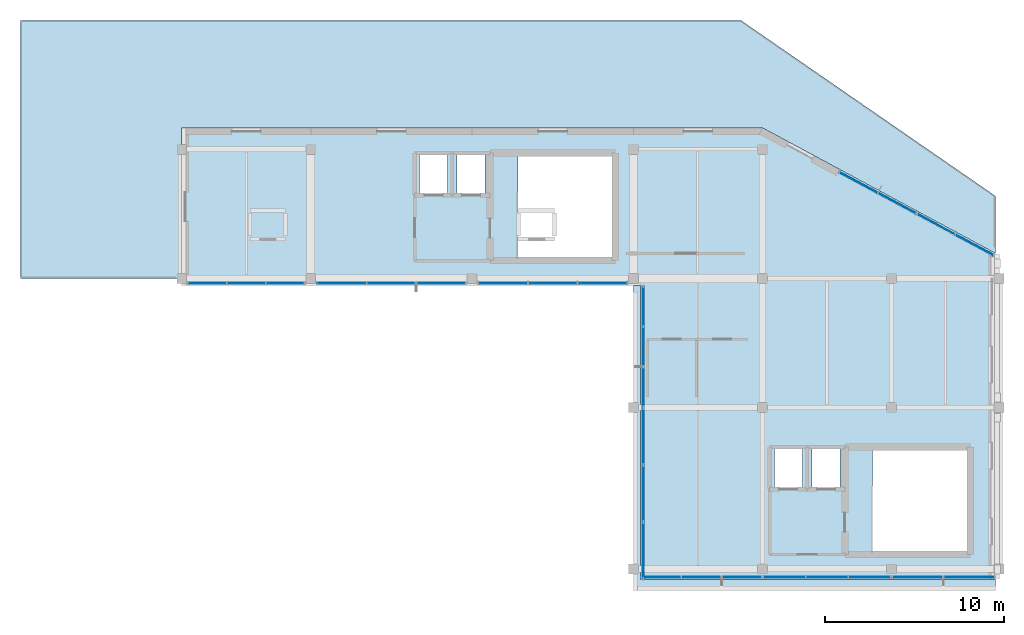
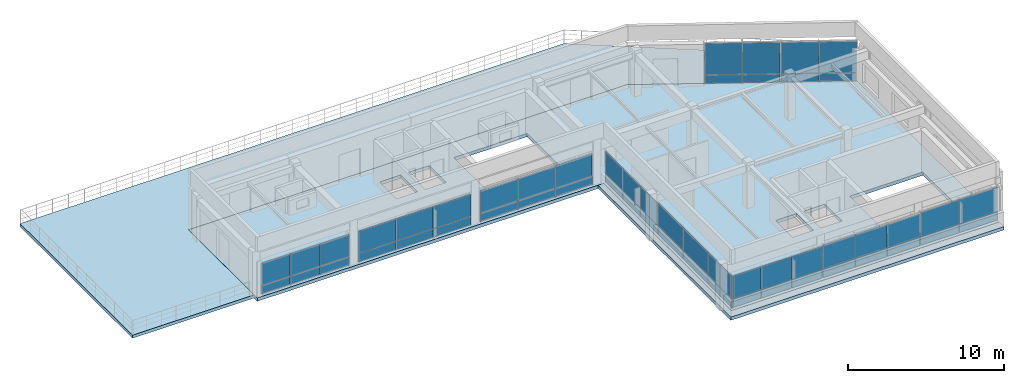
# One storey, part 6 of 10: 54 plates, 3 slabs, 10 elements without a shape of their own.
"""IFC4 building model written with IfcOpenShell, lengths in metres."""

from ifc_helpers import new_model, si_unit, direction, frame, frame_2d, origin, place, context, subcontext, project, spatial, polyline, rectangle, outline, extrude, material, layer, layer_set, type_object, element, aggregate, save


model = new_model("IFC4")

# Units and contexts
model_context = context("Model", 3, precision=1e-05, world=origin(), true_north=direction((0.0, 1.0)))
body_context = subcontext(model_context, "Body", "Model", "MODEL_VIEW")
ifc_project = project(units=[si_unit("LENGTHUNIT", "METRE"), si_unit("AREAUNIT", "SQUARE_METRE"), si_unit("VOLUMEUNIT", "CUBIC_METRE"), si_unit("PLANEANGLEUNIT", "RADIAN"), si_unit("MASSUNIT", "GRAM", prefix="KILO")], contexts=[model_context])

# Site, building, storey
site_placement = place(None, origin())
site = spatial("IfcSite", under=ifc_project, at=site_placement, CompositionType="ELEMENT")
building_placement = place(site_placement, origin())
building = spatial("IfcBuilding", under=site, at=building_placement, Name="Clarverna Civic Hall", CompositionType="ELEMENT")
storey_placement = place(building_placement, frame((0.0, 0.0, 27.60009765625)))
storey = spatial("IfcBuildingStorey", under=building, at=storey_placement, Name="L07", CompositionType="ELEMENT", Elevation=27.60009765625)

# Curtain wall, plates
ifc_material_1 = material(Name="Anodised Bronze Architectural Aluminium", Category="aluminium")
curtain_wall_type = type_object("IfcCurtainWallType", Name="CW-01", PredefinedType="USERDEFINED", material=ifc_material_1)
curtain_wall_1_placement = place(storey_placement, origin())
curtain_wall_1 = element("IfcCurtainWall", 1, at=curtain_wall_1_placement, inside=storey, type_object=curtain_wall_type, Name="CW-01-126", ObjectType="UNITISED CURTAIN WALL", PredefinedType="USERDEFINED")
ifc_material_2 = material(Name="Solar-Control Argon Low-E Double Glazing", Category="glass")
ifc_layer_1 = layer(ifc_material_2, 0.031982421875)
ifc_layer_set_1 = layer_set([ifc_layer_1], Name="Solar-Control Argon Low-E Double Glazing")
plate_type_1 = type_object("IfcPlateType", Name="CWP-01", PredefinedType="CURTAIN_PANEL", material=ifc_layer_set_1)
plate_1_placement = place(storey_placement, frame((159.109130859375, 100.920654296875, 0.764892578125), z_axis=(0.0, 0.0, 1.0), x_axis=(0.880454753722, -0.474130179011, 0.0)))
plate_1 = element("IfcPlate", 2, at=plate_1_placement, type_object=plate_type_1, Name="CWP-01-641", PredefinedType="CURTAIN_PANEL", context=body_context, shape_type="SweptSolid", body=[
    extrude(rectangle(XDim=2.39794921875, YDim=0.031982421875, at=frame_2d((1.198974609375, 0.0))), origin(), (0.0, 0.0, 1.0), 2.465087890625),
])
plate_2_placement = place(storey_placement, frame((161.246826171875, 99.76953125, 0.764892578125), z_axis=(0.0, 0.0, 1.0), x_axis=(0.880474369488, -0.474093750935, 0.0)))
plate_2 = element("IfcPlate", 3, at=plate_2_placement, type_object=plate_type_1, Name="CWP-01-642", PredefinedType="CURTAIN_PANEL", context=body_context, shape_type="SweptSolid", body=[
    extrude(rectangle(XDim=2.397705078125, YDim=0.031982421875, at=frame_2d((1.19873046875, 0.0))), origin(), (0.0, 0.0, 1.0), 2.465087890625),
])

curtain_wall_2_placement = place(storey_placement, origin())
curtain_wall_2 = element("IfcCurtainWall", 4, at=curtain_wall_2_placement, inside=storey, type_object=curtain_wall_type, Name="CW-01-127", ObjectType="UNITISED CURTAIN WALL", PredefinedType="USERDEFINED")
plate_3_placement = place(storey_placement, frame((163.442626953125, 98.58740234375, 0.764892578125), z_axis=(0.0, 0.0, 1.0), x_axis=(0.880431863766, -0.47417268296, 0.0)))
plate_3 = element("IfcPlate", 5, at=plate_3_placement, type_object=plate_type_1, Name="CWP-01-643", PredefinedType="CURTAIN_PANEL", context=body_context, shape_type="SweptSolid", body=[
    extrude(rectangle(XDim=2.397705078125, YDim=0.031982421875, at=frame_2d((1.19873046875, 0.0))), origin(), (0.0, 0.0, 1.0), 2.465087890625),
])
plate_4_placement = place(storey_placement, frame((165.580078125, 97.436279296875, 0.764892578125), z_axis=(0.0, 0.0, 1.0), x_axis=(0.880454753722, -0.474130179011, 0.0)))
plate_4 = element("IfcPlate", 6, at=plate_4_placement, type_object=plate_type_1, Name="CWP-01-644", PredefinedType="CURTAIN_PANEL", context=body_context, shape_type="SweptSolid", body=[
    extrude(rectangle(XDim=2.39794921875, YDim=0.031982421875, at=frame_2d((1.198974609375, 0.0))), origin(), (0.0, 0.0, 1.0), 2.465087890625),
])

curtain_wall_3_placement = place(storey_placement, origin())
curtain_wall_3 = element("IfcCurtainWall", 7, at=curtain_wall_3_placement, inside=storey, type_object=curtain_wall_type, Name="CW-01-128", ObjectType="UNITISED CURTAIN WALL", PredefinedType="USERDEFINED")
plate_5_placement = place(storey_placement, frame((167.751953125, 78.340087890625, 0.764892578125), z_axis=(0.0, 0.0, 1.0), x_axis=(-1.0, 0.0, 0.0)))
plate_5 = element("IfcPlate", 8, at=plate_5_placement, type_object=plate_type_1, Name="CWP-01-645", PredefinedType="CURTAIN_PANEL", context=body_context, shape_type="SweptSolid", body=[
    extrude(rectangle(XDim=2.8369140625, YDim=0.031982421875, at=frame_2d((1.41845703125, 0.0))), origin(), (0.0, 0.0, 1.0), 1.905029296875),
])
plate_6_placement = place(storey_placement, frame((164.885009765625, 78.340087890625, 0.764892578125), z_axis=(0.0, 0.0, 1.0), x_axis=(-1.0, 0.0, 0.0)))
plate_6 = element("IfcPlate", 9, at=plate_6_placement, type_object=plate_type_1, Name="CWP-01-646", PredefinedType="CURTAIN_PANEL", context=body_context, shape_type="SweptSolid", body=[
    extrude(rectangle(XDim=2.8369140625, YDim=0.031982421875, at=frame_2d((1.41845703125, 0.0))), origin(), (0.0, 0.0, 1.0), 1.905029296875),
])

curtain_wall_4_placement = place(storey_placement, origin())
curtain_wall_4 = element("IfcCurtainWall", 10, at=curtain_wall_4_placement, inside=storey, type_object=curtain_wall_type, Name="CW-01-129", ObjectType="UNITISED CURTAIN WALL", PredefinedType="USERDEFINED")
plate_7_placement = place(storey_placement, frame((161.951904296875, 78.340087890625, 0.764892578125), z_axis=(0.0, 0.0, 1.0), x_axis=(-1.0, 0.0, 0.0)))
plate_7 = element("IfcPlate", 11, at=plate_7_placement, type_object=plate_type_1, Name="CWP-01-647", PredefinedType="CURTAIN_PANEL", context=body_context, shape_type="SweptSolid", body=[
    extrude(rectangle(XDim=2.347900390625, YDim=0.031982421875, at=frame_2d((1.173828125, 0.0))), origin(), (0.0, 0.0, 1.0), 1.844970703125),
])
plate_8_placement = place(storey_placement, frame((159.573974609375, 78.340087890625, 0.764892578125), z_axis=(0.0, 0.0, 1.0), x_axis=(-1.0, 0.0, 0.0)))
plate_8 = element("IfcPlate", 12, at=plate_8_placement, type_object=plate_type_1, Name="CWP-01-648", PredefinedType="CURTAIN_PANEL", context=body_context, shape_type="SweptSolid", body=[
    extrude(rectangle(XDim=2.347900390625, YDim=0.031982421875, at=frame_2d((1.173828125, 0.0))), origin(), (0.0, 0.0, 1.0), 1.844970703125),
])
plate_9_placement = place(storey_placement, frame((157.196044921875, 78.340087890625, 0.764892578125), z_axis=(0.0, 0.0, 1.0), x_axis=(-1.0, 0.0, 0.0)))
plate_9 = element("IfcPlate", 13, at=plate_9_placement, type_object=plate_type_1, Name="CWP-01-649", PredefinedType="CURTAIN_PANEL", context=body_context, shape_type="SweptSolid", body=[
    extrude(rectangle(XDim=2.34814453125, YDim=0.031982421875, at=frame_2d((1.174072265625, 0.0))), origin(), (0.0, 0.0, 1.0), 1.844970703125),
])

curtain_wall_5_placement = place(storey_placement, origin())
curtain_wall_5 = element("IfcCurtainWall", 14, at=curtain_wall_5_placement, inside=storey, type_object=curtain_wall_type, Name="CW-01-130", ObjectType="UNITISED CURTAIN WALL", PredefinedType="USERDEFINED")
plate_10_placement = place(storey_placement, frame((154.751953125, 78.340087890625, 0.764892578125), z_axis=(0.0, 0.0, 1.0), x_axis=(-1.0, 0.0, 0.0)))
plate_10 = element("IfcPlate", 15, at=plate_10_placement, type_object=plate_type_1, Name="CWP-01-650", PredefinedType="CURTAIN_PANEL", context=body_context, shape_type="SweptSolid", body=[
    extrude(rectangle(XDim=2.214599609375, YDim=0.031982421875, at=frame_2d((1.107421875, 0.0))), origin(), (0.0, 0.0, 1.0), 1.784912109375),
])
plate_11_placement = place(storey_placement, frame((152.50732421875, 78.340087890625, 0.764892578125), z_axis=(0.0, 0.0, 1.0), x_axis=(-1.0, 0.0, 0.0)))
plate_11 = element("IfcPlate", 16, at=plate_11_placement, type_object=plate_type_1, Name="CWP-01-651", PredefinedType="CURTAIN_PANEL", context=body_context, shape_type="SweptSolid", body=[
    extrude(rectangle(XDim=2.214599609375, YDim=0.031982421875, at=frame_2d((1.107421875, 0.0))), origin(), (0.0, 0.0, 1.0), 1.784912109375),
])
plate_12_placement = place(storey_placement, frame((150.2626953125, 78.340087890625, 0.764892578125), z_axis=(0.0, 0.0, 1.0), x_axis=(-1.0, 0.0, 0.0)))
plate_12 = element("IfcPlate", 17, at=plate_12_placement, type_object=plate_type_1, Name="CWP-01-652", PredefinedType="CURTAIN_PANEL", context=body_context, shape_type="SweptSolid", body=[
    extrude(rectangle(XDim=2.214599609375, YDim=0.031982421875, at=frame_2d((1.107421875, 0.0))), origin(), (0.0, 0.0, 1.0), 1.784912109375),
])

curtain_wall_6_placement = place(storey_placement, origin())
curtain_wall_6 = element("IfcCurtainWall", 18, at=curtain_wall_6_placement, inside=storey, type_object=curtain_wall_type, Name="CW-01-131", ObjectType="UNITISED CURTAIN WALL", PredefinedType="USERDEFINED")
plate_13_placement = place(storey_placement, frame((148.139892578125, 78.248046875, 0.764892578125), z_axis=(0.0, 0.0, 1.0), x_axis=(0.0, 1.0, 0.0)))
plate_13 = element("IfcPlate", 19, at=plate_13_placement, type_object=plate_type_1, Name="CWP-01-653", PredefinedType="CURTAIN_PANEL", context=body_context, shape_type="SweptSolid", body=[
    extrude(rectangle(XDim=3.14794921875, YDim=0.031982421875, at=frame_2d((1.573974609375, 0.0))), origin(), (0.0, 0.0, 1.0), 1.784912109375),
])
plate_14_placement = place(storey_placement, frame((148.139892578125, 81.426025390625, 0.764892578125), z_axis=(0.0, 0.0, 1.0), x_axis=(0.0, 1.0, 0.0)))
plate_14 = element("IfcPlate", 20, at=plate_14_placement, type_object=plate_type_1, Name="CWP-01-654", PredefinedType="CURTAIN_PANEL", context=body_context, shape_type="SweptSolid", body=[
    extrude(rectangle(XDim=3.14794921875, YDim=0.031982421875, at=frame_2d((1.573974609375, 0.0))), origin(), (0.0, 0.0, 1.0), 1.784912109375),
])
plate_15_placement = place(storey_placement, frame((148.139892578125, 84.60400390625, 0.764892578125), z_axis=(0.0, 0.0, 1.0), x_axis=(0.0, 1.0, 0.0)))
plate_15 = element("IfcPlate", 21, at=plate_15_placement, type_object=plate_type_1, Name="CWP-01-655", PredefinedType="CURTAIN_PANEL", context=body_context, shape_type="SweptSolid", body=[
    extrude(rectangle(XDim=3.14794921875, YDim=0.031982421875, at=frame_2d((1.573974609375, 0.0))), origin(), (0.0, 0.0, 1.0), 1.784912109375),
])

curtain_wall_7_placement = place(storey_placement, origin())
curtain_wall_7 = element("IfcCurtainWall", 22, at=curtain_wall_7_placement, inside=storey, type_object=curtain_wall_type, Name="CW-01-132", ObjectType="UNITISED CURTAIN WALL", PredefinedType="USERDEFINED")
plate_16_placement = place(storey_placement, frame((148.139892578125, 87.847900390625, 0.764892578125), z_axis=(0.0, 0.0, 1.0), x_axis=(0.0, 1.0, 0.0)))
plate_16 = element("IfcPlate", 23, at=plate_16_placement, type_object=plate_type_1, Name="CWP-01-656", PredefinedType="CURTAIN_PANEL", context=body_context, shape_type="SweptSolid", body=[
    extrude(rectangle(XDim=2.21484375, YDim=0.031982421875, at=frame_2d((1.107421875, 0.0))), origin(), (0.0, 0.0, 1.0), 1.715087890625),
])
plate_17_placement = place(storey_placement, frame((148.139892578125, 90.0927734375, 0.764892578125), z_axis=(0.0, 0.0, 1.0), x_axis=(0.0, 1.0, 0.0)))
plate_17 = element("IfcPlate", 24, at=plate_17_placement, type_object=plate_type_1, Name="CWP-01-657", PredefinedType="CURTAIN_PANEL", context=body_context, shape_type="SweptSolid", body=[
    extrude(rectangle(XDim=2.214599609375, YDim=0.031982421875, at=frame_2d((1.107421875, 0.0))), origin(), (0.0, 0.0, 1.0), 1.715087890625),
])
plate_18_placement = place(storey_placement, frame((148.139892578125, 92.33740234375, 0.764892578125), z_axis=(0.0, 0.0, 1.0), x_axis=(0.0, 1.0, 0.0)))
plate_18 = element("IfcPlate", 25, at=plate_18_placement, type_object=plate_type_1, Name="CWP-01-658", PredefinedType="CURTAIN_PANEL", context=body_context, shape_type="SweptSolid", body=[
    extrude(rectangle(XDim=2.214599609375, YDim=0.031982421875, at=frame_2d((1.107421875, 0.0))), origin(), (0.0, 0.0, 1.0), 1.715087890625),
])

curtain_wall_8_placement = place(storey_placement, origin())
curtain_wall_8 = element("IfcCurtainWall", 26, at=curtain_wall_8_placement, inside=storey, type_object=curtain_wall_type, Name="CW-01-133", ObjectType="UNITISED CURTAIN WALL", PredefinedType="USERDEFINED")
plate_19_placement = place(storey_placement, frame((147.237060546875, 94.739990234375, 0.764892578125), z_axis=(0.0, 0.0, 1.0), x_axis=(-1.0, 0.0, 0.0)))
plate_19 = element("IfcPlate", 27, at=plate_19_placement, type_object=plate_type_1, Name="CWP-01-659", PredefinedType="CURTAIN_PANEL", context=body_context, shape_type="SweptSolid", body=[
    extrude(rectangle(XDim=2.738037109375, YDim=0.031982421875, at=frame_2d((1.369140625, 0.0))), origin(), (0.0, 0.0, 1.0), 1.715087890625),
])
plate_20_placement = place(storey_placement, frame((144.468994140625, 94.739990234375, 0.764892578125), z_axis=(0.0, 0.0, 1.0), x_axis=(-1.0, 0.0, 0.0)))
plate_20 = element("IfcPlate", 28, at=plate_20_placement, type_object=plate_type_1, Name="CWP-01-660", PredefinedType="CURTAIN_PANEL", context=body_context, shape_type="SweptSolid", body=[
    extrude(rectangle(XDim=2.738037109375, YDim=0.031982421875, at=frame_2d((1.369140625, 0.0))), origin(), (0.0, 0.0, 1.0), 1.715087890625),
])
plate_21_placement = place(storey_placement, frame((141.700927734375, 94.739990234375, 0.764892578125), z_axis=(0.0, 0.0, 1.0), x_axis=(-1.0, 0.0, 0.0)))
plate_21 = element("IfcPlate", 29, at=plate_21_placement, type_object=plate_type_1, Name="CWP-01-661", PredefinedType="CURTAIN_PANEL", context=body_context, shape_type="SweptSolid", body=[
    extrude(rectangle(XDim=2.738037109375, YDim=0.031982421875, at=frame_2d((1.369140625, 0.0))), origin(), (0.0, 0.0, 1.0), 1.715087890625),
])

curtain_wall_9_placement = place(storey_placement, origin())
curtain_wall_9 = element("IfcCurtainWall", 30, at=curtain_wall_9_placement, inside=storey, type_object=curtain_wall_type, Name="CW-01-134", ObjectType="UNITISED CURTAIN WALL", PredefinedType="USERDEFINED")
plate_22_placement = place(storey_placement, frame((138.237060546875, 94.739990234375, 0.764892578125), z_axis=(0.0, 0.0, 1.0), x_axis=(-1.0, 0.0, 0.0)))
plate_22 = element("IfcPlate", 31, at=plate_22_placement, type_object=plate_type_1, Name="CWP-01-662", PredefinedType="CURTAIN_PANEL", context=body_context, shape_type="SweptSolid", body=[
    extrude(rectangle(XDim=2.738037109375, YDim=0.031982421875, at=frame_2d((1.369140625, 0.0))), origin(), (0.0, 0.0, 1.0), 1.715087890625),
])
plate_23_placement = place(storey_placement, frame((135.468994140625, 94.739990234375, 0.764892578125), z_axis=(0.0, 0.0, 1.0), x_axis=(-1.0, 0.0, 0.0)))
plate_23 = element("IfcPlate", 32, at=plate_23_placement, type_object=plate_type_1, Name="CWP-01-663", PredefinedType="CURTAIN_PANEL", context=body_context, shape_type="SweptSolid", body=[
    extrude(rectangle(XDim=2.738037109375, YDim=0.031982421875, at=frame_2d((1.369140625, 0.0))), origin(), (0.0, 0.0, 1.0), 1.715087890625),
])
plate_24_placement = place(storey_placement, frame((132.700927734375, 94.739990234375, 0.764892578125), z_axis=(0.0, 0.0, 1.0), x_axis=(-1.0, 0.0, 0.0)))
plate_24 = element("IfcPlate", 33, at=plate_24_placement, type_object=plate_type_1, Name="CWP-01-664", PredefinedType="CURTAIN_PANEL", context=body_context, shape_type="SweptSolid", body=[
    extrude(rectangle(XDim=2.738037109375, YDim=0.031982421875, at=frame_2d((1.369140625, 0.0))), origin(), (0.0, 0.0, 1.0), 1.715087890625),
])

curtain_wall_10_placement = place(storey_placement, origin())
curtain_wall_10 = element("IfcCurtainWall", 34, at=curtain_wall_10_placement, inside=storey, type_object=curtain_wall_type, Name="CW-01-135", ObjectType="UNITISED CURTAIN WALL", PredefinedType="USERDEFINED")
plate_25_placement = place(storey_placement, frame((129.237060546875, 94.739990234375, 0.764892578125), z_axis=(0.0, 0.0, 1.0), x_axis=(-1.0, 0.0, 0.0)))
plate_25 = element("IfcPlate", 35, at=plate_25_placement, type_object=plate_type_1, Name="CWP-01-665", PredefinedType="CURTAIN_PANEL", context=body_context, shape_type="SweptSolid", body=[
    extrude(rectangle(XDim=2.137939453125, YDim=0.031982421875, at=frame_2d((1.06884765625, 0.0))), origin(), (0.0, 0.0, 1.0), 1.715087890625),
])
plate_26_placement = place(storey_placement, frame((127.069091796875, 94.739990234375, 0.764892578125), z_axis=(0.0, 0.0, 1.0), x_axis=(-1.0, 0.0, 0.0)))
plate_26 = element("IfcPlate", 36, at=plate_26_placement, type_object=plate_type_1, Name="CWP-01-666", PredefinedType="CURTAIN_PANEL", context=body_context, shape_type="SweptSolid", body=[
    extrude(rectangle(XDim=2.13818359375, YDim=0.031982421875, at=frame_2d((1.069091796875, 0.0))), origin(), (0.0, 0.0, 1.0), 1.715087890625),
])
plate_27_placement = place(storey_placement, frame((124.90087890625, 94.739990234375, 0.764892578125), z_axis=(0.0, 0.0, 1.0), x_axis=(-1.0, 0.0, 0.0)))
plate_27 = element("IfcPlate", 37, at=plate_27_placement, type_object=plate_type_1, Name="CWP-01-667", PredefinedType="CURTAIN_PANEL", context=body_context, shape_type="SweptSolid", body=[
    extrude(rectangle(XDim=2.137939453125, YDim=0.031982421875, at=frame_2d((1.06884765625, 0.0))), origin(), (0.0, 0.0, 1.0), 1.715087890625),
])

# Plate
ifc_material_3 = material(Name="Insulated Anodised Bronze Spandrel Panel", Category="aluminium")
ifc_layer_2 = layer(ifc_material_3, 0.048095703125)
ifc_layer_set_2 = layer_set([ifc_layer_2], Name="Insulated Anodised Bronze Spandrel Panel")
plate_type_2 = type_object("IfcPlateType", Name="CWP-03", PredefinedType="CURTAIN_PANEL", material=ifc_layer_set_2)
plate_28_placement = place(storey_placement, frame((159.109130859375, 100.920654296875, 0.10986328125), z_axis=(0.0, 0.0, 1.0), x_axis=(0.880454753722, -0.474130179011, 0.0)))
plate_28 = element("IfcPlate", 38, at=plate_28_placement, type_object=plate_type_2, Name="CWP-03-661", PredefinedType="CURTAIN_PANEL", context=body_context, shape_type="SweptSolid", body=[
    extrude(rectangle(XDim=2.39794921875, YDim=0.048095703125, at=frame_2d((1.198974609375, 0.0))), origin(), (0.0, 0.0, 1.0), 0.625),
])

plate_29_placement = place(storey_placement, frame((161.246826171875, 99.76953125, 0.10986328125), z_axis=(0.0, 0.0, 1.0), x_axis=(0.880474369488, -0.474093750935, 0.0)))
plate_29 = element("IfcPlate", 39, at=plate_29_placement, type_object=plate_type_2, Name="CWP-03-662", PredefinedType="CURTAIN_PANEL", context=body_context, shape_type="SweptSolid", body=[
    extrude(rectangle(XDim=2.397705078125, YDim=0.048095703125, at=frame_2d((1.19873046875, 0.0))), origin(), (0.0, 0.0, 1.0), 0.625),
])

aggregate(curtain_wall_1, [plate_28, plate_1, plate_29, plate_2])

plate_30_placement = place(storey_placement, frame((163.442626953125, 98.58740234375, 0.10986328125), z_axis=(0.0, 0.0, 1.0), x_axis=(0.880431863766, -0.47417268296, 0.0)))
plate_30 = element("IfcPlate", 40, at=plate_30_placement, type_object=plate_type_2, Name="CWP-03-663", PredefinedType="CURTAIN_PANEL", context=body_context, shape_type="SweptSolid", body=[
    extrude(rectangle(XDim=2.397705078125, YDim=0.048095703125, at=frame_2d((1.19873046875, 0.0))), origin(), (0.0, 0.0, 1.0), 0.625),
])

plate_31_placement = place(storey_placement, frame((165.580078125, 97.436279296875, 0.10986328125), z_axis=(0.0, 0.0, 1.0), x_axis=(0.880454753722, -0.474130179011, 0.0)))
plate_31 = element("IfcPlate", 41, at=plate_31_placement, type_object=plate_type_2, Name="CWP-03-664", PredefinedType="CURTAIN_PANEL", context=body_context, shape_type="SweptSolid", body=[
    extrude(rectangle(XDim=2.39794921875, YDim=0.048095703125, at=frame_2d((1.198974609375, 0.0))), origin(), (0.0, 0.0, 1.0), 0.625),
])

aggregate(curtain_wall_2, [plate_30, plate_3, plate_31, plate_4])

plate_32_placement = place(storey_placement, frame((167.751953125, 78.340087890625, 0.10986328125), z_axis=(0.0, 0.0, 1.0), x_axis=(-1.0, 0.0, 0.0)))
plate_32 = element("IfcPlate", 42, at=plate_32_placement, type_object=plate_type_2, Name="CWP-03-665", PredefinedType="CURTAIN_PANEL", context=body_context, shape_type="SweptSolid", body=[
    extrude(rectangle(XDim=2.8369140625, YDim=0.048095703125, at=frame_2d((1.41845703125, 0.0))), origin(), (0.0, 0.0, 1.0), 0.625),
])

plate_33_placement = place(storey_placement, frame((164.885009765625, 78.340087890625, 0.10986328125), z_axis=(0.0, 0.0, 1.0), x_axis=(-1.0, 0.0, 0.0)))
plate_33 = element("IfcPlate", 43, at=plate_33_placement, type_object=plate_type_2, Name="CWP-03-666", PredefinedType="CURTAIN_PANEL", context=body_context, shape_type="SweptSolid", body=[
    extrude(rectangle(XDim=2.8369140625, YDim=0.048095703125, at=frame_2d((1.41845703125, 0.0))), origin(), (0.0, 0.0, 1.0), 0.625),
])

aggregate(curtain_wall_3, [plate_32, plate_5, plate_33, plate_6])

plate_34_placement = place(storey_placement, frame((161.951904296875, 78.340087890625, 0.10986328125), z_axis=(0.0, 0.0, 1.0), x_axis=(-1.0, 0.0, 0.0)))
plate_34 = element("IfcPlate", 44, at=plate_34_placement, type_object=plate_type_2, Name="CWP-03-667", PredefinedType="CURTAIN_PANEL", context=body_context, shape_type="SweptSolid", body=[
    extrude(rectangle(XDim=2.347900390625, YDim=0.048095703125, at=frame_2d((1.173828125, 0.0))), origin(), (0.0, 0.0, 1.0), 0.625),
])

plate_35_placement = place(storey_placement, frame((159.573974609375, 78.340087890625, 0.10986328125), z_axis=(0.0, 0.0, 1.0), x_axis=(-1.0, 0.0, 0.0)))
plate_35 = element("IfcPlate", 45, at=plate_35_placement, type_object=plate_type_2, Name="CWP-03-668", PredefinedType="CURTAIN_PANEL", context=body_context, shape_type="SweptSolid", body=[
    extrude(rectangle(XDim=2.347900390625, YDim=0.048095703125, at=frame_2d((1.173828125, 0.0))), origin(), (0.0, 0.0, 1.0), 0.625),
])

plate_36_placement = place(storey_placement, frame((157.196044921875, 78.340087890625, 0.10986328125), z_axis=(0.0, 0.0, 1.0), x_axis=(-1.0, 0.0, 0.0)))
plate_36 = element("IfcPlate", 46, at=plate_36_placement, type_object=plate_type_2, Name="CWP-03-669", PredefinedType="CURTAIN_PANEL", context=body_context, shape_type="SweptSolid", body=[
    extrude(rectangle(XDim=2.34814453125, YDim=0.048095703125, at=frame_2d((1.174072265625, 0.0))), origin(), (0.0, 0.0, 1.0), 0.625),
])

aggregate(curtain_wall_4, [plate_34, plate_7, plate_35, plate_8, plate_36, plate_9])

plate_37_placement = place(storey_placement, frame((154.751953125, 78.340087890625, 0.10986328125), z_axis=(0.0, 0.0, 1.0), x_axis=(-1.0, 0.0, 0.0)))
plate_37 = element("IfcPlate", 47, at=plate_37_placement, type_object=plate_type_2, Name="CWP-03-670", PredefinedType="CURTAIN_PANEL", context=body_context, shape_type="SweptSolid", body=[
    extrude(rectangle(XDim=2.214599609375, YDim=0.048095703125, at=frame_2d((1.107421875, 0.0))), origin(), (0.0, 0.0, 1.0), 0.625),
])

plate_38_placement = place(storey_placement, frame((152.50732421875, 78.340087890625, 0.10986328125), z_axis=(0.0, 0.0, 1.0), x_axis=(-1.0, 0.0, 0.0)))
plate_38 = element("IfcPlate", 48, at=plate_38_placement, type_object=plate_type_2, Name="CWP-03-671", PredefinedType="CURTAIN_PANEL", context=body_context, shape_type="SweptSolid", body=[
    extrude(rectangle(XDim=2.214599609375, YDim=0.048095703125, at=frame_2d((1.107421875, 0.0))), origin(), (0.0, 0.0, 1.0), 0.625),
])

plate_39_placement = place(storey_placement, frame((150.2626953125, 78.340087890625, 0.10986328125), z_axis=(0.0, 0.0, 1.0), x_axis=(-1.0, 0.0, 0.0)))
plate_39 = element("IfcPlate", 49, at=plate_39_placement, type_object=plate_type_2, Name="CWP-03-672", PredefinedType="CURTAIN_PANEL", context=body_context, shape_type="SweptSolid", body=[
    extrude(rectangle(XDim=2.214599609375, YDim=0.048095703125, at=frame_2d((1.107421875, 0.0))), origin(), (0.0, 0.0, 1.0), 0.625),
])

aggregate(curtain_wall_5, [plate_37, plate_10, plate_38, plate_11, plate_39, plate_12])

plate_40_placement = place(storey_placement, frame((148.139892578125, 78.248046875, 0.10986328125), z_axis=(0.0, 0.0, 1.0), x_axis=(0.0, 1.0, 0.0)))
plate_40 = element("IfcPlate", 50, at=plate_40_placement, type_object=plate_type_2, Name="CWP-03-673", PredefinedType="CURTAIN_PANEL", context=body_context, shape_type="SweptSolid", body=[
    extrude(rectangle(XDim=3.14794921875, YDim=0.048095703125, at=frame_2d((1.573974609375, 0.0))), origin(), (0.0, 0.0, 1.0), 0.625),
])

plate_41_placement = place(storey_placement, frame((148.139892578125, 81.426025390625, 0.10986328125), z_axis=(0.0, 0.0, 1.0), x_axis=(0.0, 1.0, 0.0)))
plate_41 = element("IfcPlate", 51, at=plate_41_placement, type_object=plate_type_2, Name="CWP-03-674", PredefinedType="CURTAIN_PANEL", context=body_context, shape_type="SweptSolid", body=[
    extrude(rectangle(XDim=3.14794921875, YDim=0.048095703125, at=frame_2d((1.573974609375, 0.0))), origin(), (0.0, 0.0, 1.0), 0.625),
])

plate_42_placement = place(storey_placement, frame((148.139892578125, 84.60400390625, 0.10986328125), z_axis=(0.0, 0.0, 1.0), x_axis=(0.0, 1.0, 0.0)))
plate_42 = element("IfcPlate", 52, at=plate_42_placement, type_object=plate_type_2, Name="CWP-03-675", PredefinedType="CURTAIN_PANEL", context=body_context, shape_type="SweptSolid", body=[
    extrude(rectangle(XDim=3.14794921875, YDim=0.048095703125, at=frame_2d((1.573974609375, 0.0))), origin(), (0.0, 0.0, 1.0), 0.625),
])

aggregate(curtain_wall_6, [plate_40, plate_13, plate_41, plate_14, plate_42, plate_15])

plate_43_placement = place(storey_placement, frame((148.139892578125, 87.847900390625, 0.10986328125), z_axis=(0.0, 0.0, 1.0), x_axis=(0.0, 1.0, 0.0)))
plate_43 = element("IfcPlate", 53, at=plate_43_placement, type_object=plate_type_2, Name="CWP-03-676", PredefinedType="CURTAIN_PANEL", context=body_context, shape_type="SweptSolid", body=[
    extrude(rectangle(XDim=2.21484375, YDim=0.048095703125, at=frame_2d((1.107421875, 0.0))), origin(), (0.0, 0.0, 1.0), 0.625),
])

plate_44_placement = place(storey_placement, frame((148.139892578125, 90.0927734375, 0.10986328125), z_axis=(0.0, 0.0, 1.0), x_axis=(0.0, 1.0, 0.0)))
plate_44 = element("IfcPlate", 54, at=plate_44_placement, type_object=plate_type_2, Name="CWP-03-677", PredefinedType="CURTAIN_PANEL", context=body_context, shape_type="SweptSolid", body=[
    extrude(rectangle(XDim=2.214599609375, YDim=0.048095703125, at=frame_2d((1.107421875, 0.0))), origin(), (0.0, 0.0, 1.0), 0.625),
])

plate_45_placement = place(storey_placement, frame((148.139892578125, 92.33740234375, 0.10986328125), z_axis=(0.0, 0.0, 1.0), x_axis=(0.0, 1.0, 0.0)))
plate_45 = element("IfcPlate", 55, at=plate_45_placement, type_object=plate_type_2, Name="CWP-03-678", PredefinedType="CURTAIN_PANEL", context=body_context, shape_type="SweptSolid", body=[
    extrude(rectangle(XDim=2.214599609375, YDim=0.048095703125, at=frame_2d((1.107421875, 0.0))), origin(), (0.0, 0.0, 1.0), 0.625),
])

aggregate(curtain_wall_7, [plate_43, plate_16, plate_44, plate_17, plate_45, plate_18])

plate_46_placement = place(storey_placement, frame((147.237060546875, 94.739990234375, 0.10986328125), z_axis=(0.0, 0.0, 1.0), x_axis=(-1.0, 0.0, 0.0)))
plate_46 = element("IfcPlate", 56, at=plate_46_placement, type_object=plate_type_2, Name="CWP-03-679", PredefinedType="CURTAIN_PANEL", context=body_context, shape_type="SweptSolid", body=[
    extrude(rectangle(XDim=2.738037109375, YDim=0.048095703125, at=frame_2d((1.369140625, 0.0))), origin(), (0.0, 0.0, 1.0), 0.625),
])

plate_47_placement = place(storey_placement, frame((144.468994140625, 94.739990234375, 0.10986328125), z_axis=(0.0, 0.0, 1.0), x_axis=(-1.0, 0.0, 0.0)))
plate_47 = element("IfcPlate", 57, at=plate_47_placement, type_object=plate_type_2, Name="CWP-03-680", PredefinedType="CURTAIN_PANEL", context=body_context, shape_type="SweptSolid", body=[
    extrude(rectangle(XDim=2.738037109375, YDim=0.048095703125, at=frame_2d((1.369140625, 0.0))), origin(), (0.0, 0.0, 1.0), 0.625),
])

plate_48_placement = place(storey_placement, frame((141.700927734375, 94.739990234375, 0.10986328125), z_axis=(0.0, 0.0, 1.0), x_axis=(-1.0, 0.0, 0.0)))
plate_48 = element("IfcPlate", 58, at=plate_48_placement, type_object=plate_type_2, Name="CWP-03-681", PredefinedType="CURTAIN_PANEL", context=body_context, shape_type="SweptSolid", body=[
    extrude(rectangle(XDim=2.738037109375, YDim=0.048095703125, at=frame_2d((1.369140625, 0.0))), origin(), (0.0, 0.0, 1.0), 0.625),
])

aggregate(curtain_wall_8, [plate_46, plate_19, plate_47, plate_20, plate_48, plate_21])

plate_49_placement = place(storey_placement, frame((138.237060546875, 94.739990234375, 0.10986328125), z_axis=(0.0, 0.0, 1.0), x_axis=(-1.0, 0.0, 0.0)))
plate_49 = element("IfcPlate", 59, at=plate_49_placement, type_object=plate_type_2, Name="CWP-03-682", PredefinedType="CURTAIN_PANEL", context=body_context, shape_type="SweptSolid", body=[
    extrude(rectangle(XDim=2.738037109375, YDim=0.048095703125, at=frame_2d((1.369140625, 0.0))), origin(), (0.0, 0.0, 1.0), 0.625),
])

plate_50_placement = place(storey_placement, frame((135.468994140625, 94.739990234375, 0.10986328125), z_axis=(0.0, 0.0, 1.0), x_axis=(-1.0, 0.0, 0.0)))
plate_50 = element("IfcPlate", 60, at=plate_50_placement, type_object=plate_type_2, Name="CWP-03-683", PredefinedType="CURTAIN_PANEL", context=body_context, shape_type="SweptSolid", body=[
    extrude(rectangle(XDim=2.738037109375, YDim=0.048095703125, at=frame_2d((1.369140625, 0.0))), origin(), (0.0, 0.0, 1.0), 0.625),
])

plate_51_placement = place(storey_placement, frame((132.700927734375, 94.739990234375, 0.10986328125), z_axis=(0.0, 0.0, 1.0), x_axis=(-1.0, 0.0, 0.0)))
plate_51 = element("IfcPlate", 61, at=plate_51_placement, type_object=plate_type_2, Name="CWP-03-684", PredefinedType="CURTAIN_PANEL", context=body_context, shape_type="SweptSolid", body=[
    extrude(rectangle(XDim=2.738037109375, YDim=0.048095703125, at=frame_2d((1.369140625, 0.0))), origin(), (0.0, 0.0, 1.0), 0.625),
])

aggregate(curtain_wall_9, [plate_49, plate_22, plate_50, plate_23, plate_51, plate_24])

plate_52_placement = place(storey_placement, frame((129.237060546875, 94.739990234375, 0.10986328125), z_axis=(0.0, 0.0, 1.0), x_axis=(-1.0, 0.0, 0.0)))
plate_52 = element("IfcPlate", 62, at=plate_52_placement, type_object=plate_type_2, Name="CWP-03-685", PredefinedType="CURTAIN_PANEL", context=body_context, shape_type="SweptSolid", body=[
    extrude(rectangle(XDim=2.137939453125, YDim=0.048095703125, at=frame_2d((1.06884765625, 0.0))), origin(), (0.0, 0.0, 1.0), 0.625),
])

plate_53_placement = place(storey_placement, frame((127.069091796875, 94.739990234375, 0.10986328125), z_axis=(0.0, 0.0, 1.0), x_axis=(-1.0, 0.0, 0.0)))
plate_53 = element("IfcPlate", 63, at=plate_53_placement, type_object=plate_type_2, Name="CWP-03-686", PredefinedType="CURTAIN_PANEL", context=body_context, shape_type="SweptSolid", body=[
    extrude(rectangle(XDim=2.13818359375, YDim=0.048095703125, at=frame_2d((1.069091796875, 0.0))), origin(), (0.0, 0.0, 1.0), 0.625),
])

plate_54_placement = place(storey_placement, frame((124.90087890625, 94.739990234375, 0.10986328125), z_axis=(0.0, 0.0, 1.0), x_axis=(-1.0, 0.0, 0.0)))
plate_54 = element("IfcPlate", 64, at=plate_54_placement, type_object=plate_type_2, Name="CWP-03-687", PredefinedType="CURTAIN_PANEL", context=body_context, shape_type="SweptSolid", body=[
    extrude(rectangle(XDim=2.137939453125, YDim=0.048095703125, at=frame_2d((1.06884765625, 0.0))), origin(), (0.0, 0.0, 1.0), 0.625),
])

aggregate(curtain_wall_10, [plate_52, plate_25, plate_53, plate_26, plate_54, plate_27])

# Slabs
ifc_material_4 = material(Name="Concrete C30/37", Category="concrete")
ifc_layer_3 = layer(ifc_material_4, 0.260009765625)
ifc_layer_set_3 = layer_set([ifc_layer_3], Name="Concrete C30/37")
slab_type_1 = type_object("IfcSlabType", Name="SL-FL5", PredefinedType="FLOOR", material=ifc_layer_set_3)
slab_1_placement = place(storey_placement, frame((0.0, 0.0, -0.260009765625)))
element("IfcSlab", 65, at=slab_1_placement, inside=storey, type_object=slab_type_1, Name="SL-FL5-002", PredefinedType="FLOOR", context=body_context, shape_type="SweptSolid", body=[
    extrude(outline(polyline([(122.39990234375, 94.60009765625), (148.0, 94.60009765625), (148.0, 78.199951171875), (167.800048828125, 78.199951171875), (167.800048828125, 96.39990234375), (154.800048828125, 103.39990234375), (122.39990234375, 103.39990234375), (122.39990234375, 94.60009765625)]), holes=[polyline([(141.14990234375, 96.1201171875), (146.550048828125, 96.1201171875), (146.550048828125, 101.8798828125), (141.14990234375, 101.8798828125), (141.14990234375, 96.1201171875)]), polyline([(135.669921875, 99.739990234375), (137.22998046875, 99.739990234375), (137.22998046875, 101.89990234375), (135.669921875, 101.89990234375), (135.669921875, 99.739990234375)]), polyline([(137.77001953125, 99.739990234375), (139.330078125, 99.739990234375), (139.330078125, 101.89990234375), (137.77001953125, 101.89990234375), (137.77001953125, 99.739990234375)]), polyline([(160.949951171875, 79.719970703125), (166.35009765625, 79.719970703125), (166.35009765625, 85.47998046875), (160.949951171875, 85.47998046875), (160.949951171875, 79.719970703125)]), polyline([(155.469970703125, 83.340087890625), (157.030029296875, 83.340087890625), (157.030029296875, 85.5), (155.469970703125, 85.5), (155.469970703125, 83.340087890625)]), polyline([(157.570068359375, 83.340087890625), (159.1298828125, 83.340087890625), (159.1298828125, 85.5), (157.570068359375, 85.5), (157.570068359375, 83.340087890625)])]), origin(), (0.0, 0.0, 1.0), 0.260009765625),
])
ifc_layer_4 = layer(ifc_material_4, 0.260009765625)
ifc_layer_set_4 = layer_set([ifc_layer_4], Name="Concrete C30/37")
slab_type_2 = type_object("IfcSlabType", Name="SL-RF1", PredefinedType="ROOF", material=ifc_layer_set_4)
slab_2_placement = place(storey_placement, frame((0.0, 0.0, -0.260009765625)))
element("IfcSlab", 66, at=slab_2_placement, inside=storey, type_object=slab_type_2, Name="SL-RF1-007", PredefinedType="ROOF", context=body_context, shape_type="SweptSolid", body=[
    extrude(outline(polyline([(167.800048828125, 77.60009765625), (167.800048828125, 78.198974609375), (148.0, 78.198974609375), (148.0, 78.198974609375), (147.999755859375, 78.198974609375), (147.999755859375, 78.198974609375), (147.99951171875, 78.19921875), (147.99951171875, 78.19921875), (147.99951171875, 78.19921875), (147.99951171875, 78.19921875), (147.999267578125, 78.19921875), (147.999267578125, 78.199462890625), (147.999267578125, 78.199462890625), (147.9990234375, 78.199462890625), (147.9990234375, 78.19970703125), (147.9990234375, 78.19970703125), (147.9990234375, 78.19970703125), (147.9990234375, 78.199951171875), (147.9990234375, 78.199951171875), (147.9990234375, 94.59912109375), (147.60009765625, 94.59912109375), (147.60009765625, 77.60009765625), (167.800048828125, 77.60009765625)])), origin(), (0.0, 0.0, 1.0), 0.260009765625),
])
ifc_layer_5 = layer(ifc_material_4, 0.239990234375)
ifc_layer_set_5 = layer_set([ifc_layer_5], Name="Concrete C30/37")
slab_type_3 = type_object("IfcSlabType", Name="SL-TR1", PredefinedType="FLOOR", material=ifc_layer_set_5)
slab_3_placement = place(storey_placement, frame((0.0, 0.0, -0.239990234375)))
element("IfcSlab", 67, at=slab_3_placement, inside=storey, type_object=slab_type_3, Name="SL-TR1-013", PredefinedType="FLOOR", context=body_context, shape_type="SweptSolid", body=[
    extrude(outline(polyline([(113.39990234375, 95.0), (122.39892578125, 95.0), (122.39892578125, 103.39990234375), (122.39892578125, 103.400146484375), (122.39892578125, 103.400146484375), (122.39892578125, 103.400390625), (122.399169921875, 103.400390625), (122.399169921875, 103.400390625), (122.399169921875, 103.400634765625), (122.399169921875, 103.400634765625), (122.3994140625, 103.400634765625), (122.3994140625, 103.40087890625), (122.3994140625, 103.40087890625), (122.3994140625, 103.40087890625), (122.399658203125, 103.40087890625), (122.399658203125, 103.40087890625), (122.39990234375, 103.40087890625), (122.39990234375, 103.40087890625), (122.39990234375, 103.40087890625), (154.800048828125, 103.40087890625), (154.800048828125, 103.40087890625), (154.80029296875, 103.40087890625), (154.80029296875, 103.40087890625), (154.80029296875, 103.40087890625), (154.800537109375, 103.40087890625), (167.800048828125, 96.401123046875), (167.800048828125, 99.60009765625), (153.60009765625, 109.39990234375), (113.39990234375, 109.39990234375), (113.39990234375, 95.0)])), origin(), (0.0, 0.0, 1.0), 0.239990234375),
])

save(model, "model.ifc")
